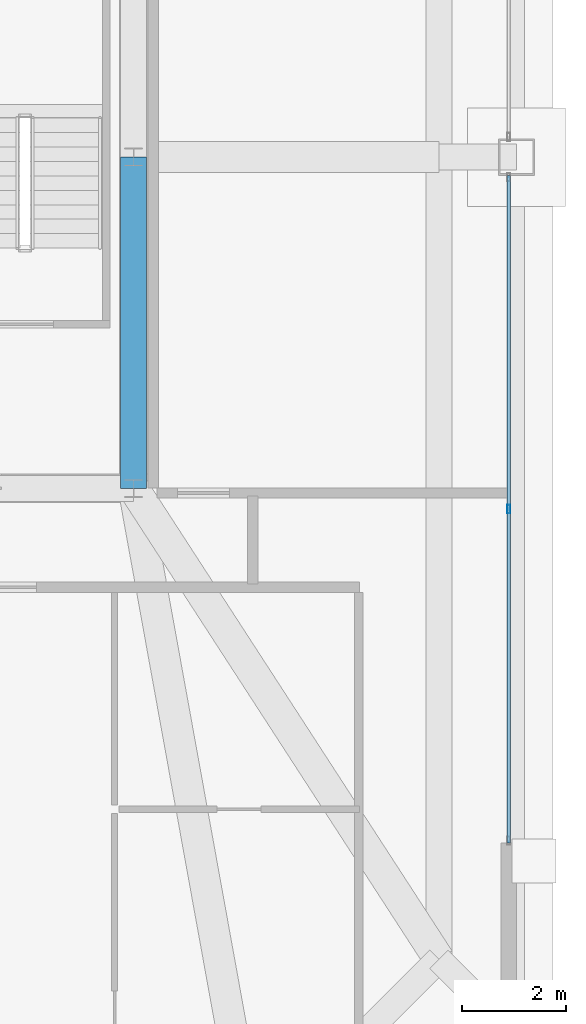
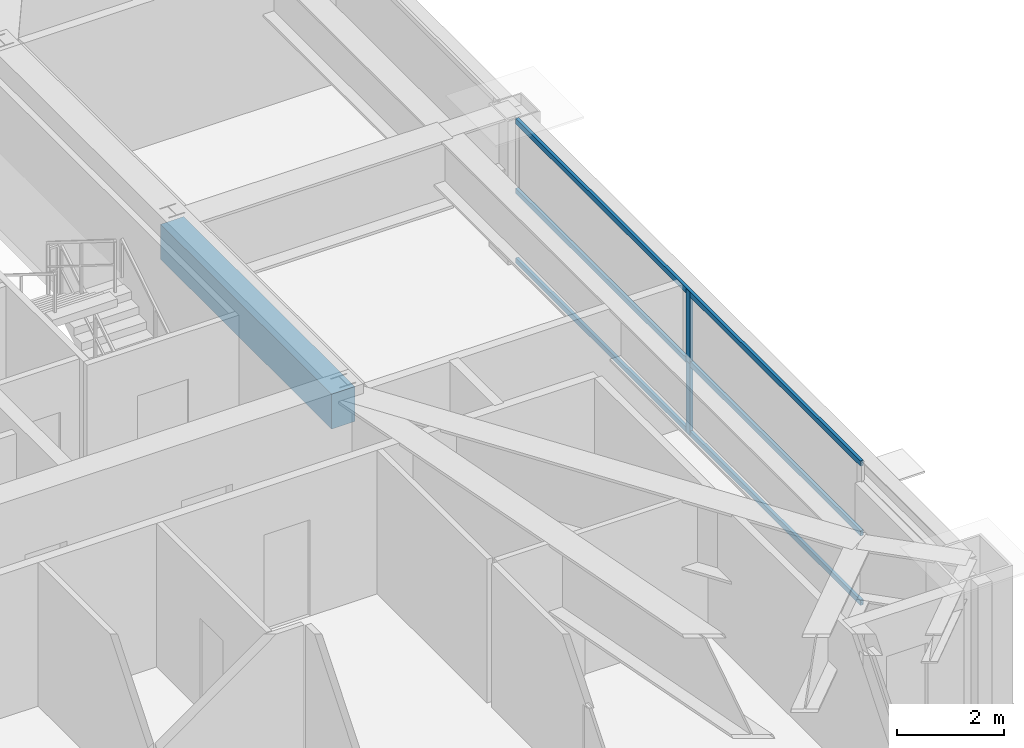
# One storey, part 16 of 33: 5 members, 1 beam, 1 element without a shape of its own.
"""IFC4 building model written with IfcOpenShell, lengths in metres."""

from ifc_helpers import new_model, si_unit, direction, frame, origin, origin_2d, place, context, subcontext, project, spatial, rectangle, hollow_rectangle, extrude, source, transform, mapped, material, layer, layer_set, material_profile, profile_set, type_object, element, aggregate, save


model = new_model("IFC4")

# Units and contexts
model_context = context("Model", 3, precision=1e-05, world=origin(), true_north=direction((0.0, 1.0)))
body_context = subcontext(model_context, "Body", "Model", "MODEL_VIEW")
ifc_project = project(units=[si_unit("LENGTHUNIT", "METRE"), si_unit("AREAUNIT", "SQUARE_METRE"), si_unit("VOLUMEUNIT", "CUBIC_METRE"), si_unit("PLANEANGLEUNIT", "RADIAN"), si_unit("MASSUNIT", "GRAM", prefix="KILO"), si_unit("THERMODYNAMICTEMPERATUREUNIT", "KELVIN"), si_unit("POWERUNIT", "WATT")], contexts=[model_context])

# Site, building, storey
site_placement = place(None, origin())
site = spatial("IfcSite", under=ifc_project, at=site_placement, CompositionType="ELEMENT")
building_placement = place(site_placement, origin())
building = spatial("IfcBuilding", under=site, at=building_placement, Name="Yuzanri Waterfront Tower", CompositionType="ELEMENT")
storey_placement = place(building_placement, frame((0.0, 0.0, 282.10009765625)))
storey = spatial("IfcBuildingStorey", under=building, at=storey_placement, Name="L75", CompositionType="ELEMENT", Elevation=282.10009765625)

# Beam
ifc_material_1 = material(Name="Concrete C50", Category="concrete")
ifc_material_profile_1 = material_profile(ifc_material_1, rectangle(XDim=0.5, YDim=0.800048828125, at=origin_2d()), Name="RC 500x800")
ifc_profile_set_1 = profile_set([ifc_material_profile_1], Name="Concrete C50")
beam_type = type_object("IfcBeamType", Name="Core Coupling Lintel Concrete C50 500x800", PredefinedType="LINTEL", material=ifc_profile_set_1)
shared_shape_1 = source(origin(), body_context, "Body", "SweptSolid", [
    extrude(rectangle(XDim=0.5, YDim=0.800048828125, at=origin_2d()), origin(), (0.0, 0.0, 1.0), 6.400146484375),
])
beam_placement = place(storey_placement, frame((50.199951171875, 19.39990234375, 2.8798828125), z_axis=(0.0, 1.0, 0.0), x_axis=(-1.0, 0.0, 0.0)))
element("IfcBeam", 1, at=beam_placement, inside=storey, type_object=beam_type, Name="L75 Core Tie Beam CE1", PredefinedType="LINTEL", context=body_context, shape_type="MappedRepresentation", body=[
    mapped(shared_shape_1, transform((0.0, 0.0, 0.0), scale=1.0)),
])

# Curtain wall, members
ifc_material_2 = material(Name="Anodized Architectural Bronze", Category="metal")
ifc_layer = layer(ifc_material_2, 0.159912109375)
ifc_layer_set = layer_set([ifc_layer], Name="Anodized Architectural Bronze")
curtain_wall_type = type_object("IfcCurtainWallType", Name="Anodized Bronze Mid-Rise Residential Acoustic Unitized Curtain Wall 7200", PredefinedType="NOTDEFINED", material=ifc_layer_set)
curtain_wall_placement = place(storey_placement, origin())
curtain_wall = element("IfcCurtainWall", 2, at=curtain_wall_placement, inside=storey, type_object=curtain_wall_type, Name="L75 Curtain Wall CW-L75-EL", PredefinedType="NOTDEFINED")
ifc_material_3 = material(Name="Anodized Architectural Bronze", Category="metal")
ifc_material_profile_2 = material_profile(ifc_material_3, hollow_rectangle(XDim=0.06494140625, YDim=0.159912109375, WallThickness=0.00341796875, at=origin_2d()), Name="CWM 65x160")
ifc_profile_set_2 = profile_set([ifc_material_profile_2], Name="Anodized Architectural Bronze")
member_type_1 = type_object("IfcMemberType", Name="Anodized Bronze Upper-Zone Curtain-Wall Mullion 65x160", PredefinedType="MULLION", material=ifc_profile_set_2)
shared_shape_2 = source(origin(), body_context, "Body", "SweptSolid", [
    extrude(hollow_rectangle(XDim=0.06494140625, YDim=0.159912109375, WallThickness=0.00341796875, at=origin_2d()), origin(), (0.0, 0.0, 1.0), 1.637939453125),
])
member_1_placement = place(storey_placement, frame((57.449951171875, 19.0, 0.0), z_axis=(0.0, 0.0, 1.0), x_axis=(1.0, 0.0, 0.0)))
member_1 = element("IfcMember", 3, at=member_1_placement, type_object=member_type_1, Name="CW-L75-EL Lower Mullion 01", PredefinedType="MULLION", context=body_context, shape_type="MappedRepresentation", body=[
    mapped(shared_shape_2, transform((0.0, 0.0, 0.0), scale=1.0)),
])
member_2_placement = place(storey_placement, frame((57.449951171875, 19.0, 1.641845703125), z_axis=(0.0, 0.0, 1.0), x_axis=(1.0, 0.0, 0.0)))
member_2 = element("IfcMember", 4, at=member_2_placement, type_object=member_type_1, Name="CW-L75-EL Upper Mullion 01", PredefinedType="MULLION", context=body_context, shape_type="MappedRepresentation", body=[
    mapped(shared_shape_2, transform((0.0, 0.0, 0.0), scale=1.0)),
])
ifc_material_4 = material(Name="Anodized Architectural Bronze", Category="metal")
ifc_material_profile_3 = material_profile(ifc_material_4, hollow_rectangle(XDim=0.06494140625, YDim=0.1201171875, WallThickness=0.00341796875, at=origin_2d()), Name="CWT 65x120")
ifc_profile_set_3 = profile_set([ifc_material_profile_3], Name="Anodized Architectural Bronze")
member_type_2 = type_object("IfcMemberType", Name="Anodized Bronze Secondary Curtain-Wall Transom 65x120", PredefinedType="USERDEFINED", material=ifc_profile_set_3)
shared_shape_3 = source(origin(), body_context, "Body", "SweptSolid", [
    extrude(hollow_rectangle(XDim=0.06494140625, YDim=0.1201171875, WallThickness=0.00341796875, at=origin_2d()), origin(), (0.0, 0.0, 1.0), 12.89990234375),
])
member_3_placement = place(storey_placement, frame((57.449951171875, 12.550048828125, 0.0498046875), z_axis=(0.0, 1.0, 0.0), x_axis=(-1.0, 0.0, 0.0)))
member_3 = element("IfcMember", 5, at=member_3_placement, type_object=member_type_2, Name="CW-L75-EL Transom 1", ObjectType="TRANSOM", PredefinedType="USERDEFINED", context=body_context, shape_type="MappedRepresentation", body=[
    mapped(shared_shape_3, transform((0.0, 0.0, 0.0), scale=1.0)),
])
member_4_placement = place(storey_placement, frame((57.449951171875, 12.550048828125, 1.639892578125), z_axis=(0.0, 1.0, 0.0), x_axis=(-1.0, 0.0, 0.0)))
member_4 = element("IfcMember", 6, at=member_4_placement, type_object=member_type_2, Name="CW-L75-EL Transom 2", ObjectType="TRANSOM", PredefinedType="USERDEFINED", context=body_context, shape_type="MappedRepresentation", body=[
    mapped(shared_shape_3, transform((0.0, 0.0, 0.0), scale=1.0)),
])
member_5_placement = place(storey_placement, frame((57.449951171875, 12.550048828125, 3.22998046875), z_axis=(0.0, 1.0, 0.0), x_axis=(-1.0, 0.0, 0.0)))
member_5 = element("IfcMember", 7, at=member_5_placement, type_object=member_type_2, Name="CW-L75-EL Transom 3", ObjectType="TRANSOM", PredefinedType="USERDEFINED", context=body_context, shape_type="MappedRepresentation", body=[
    mapped(shared_shape_3, transform((0.0, 0.0, 0.0), scale=1.0)),
])
aggregate(curtain_wall, [member_1, member_2, member_3, member_4, member_5])

save(model, "model.ifc")
